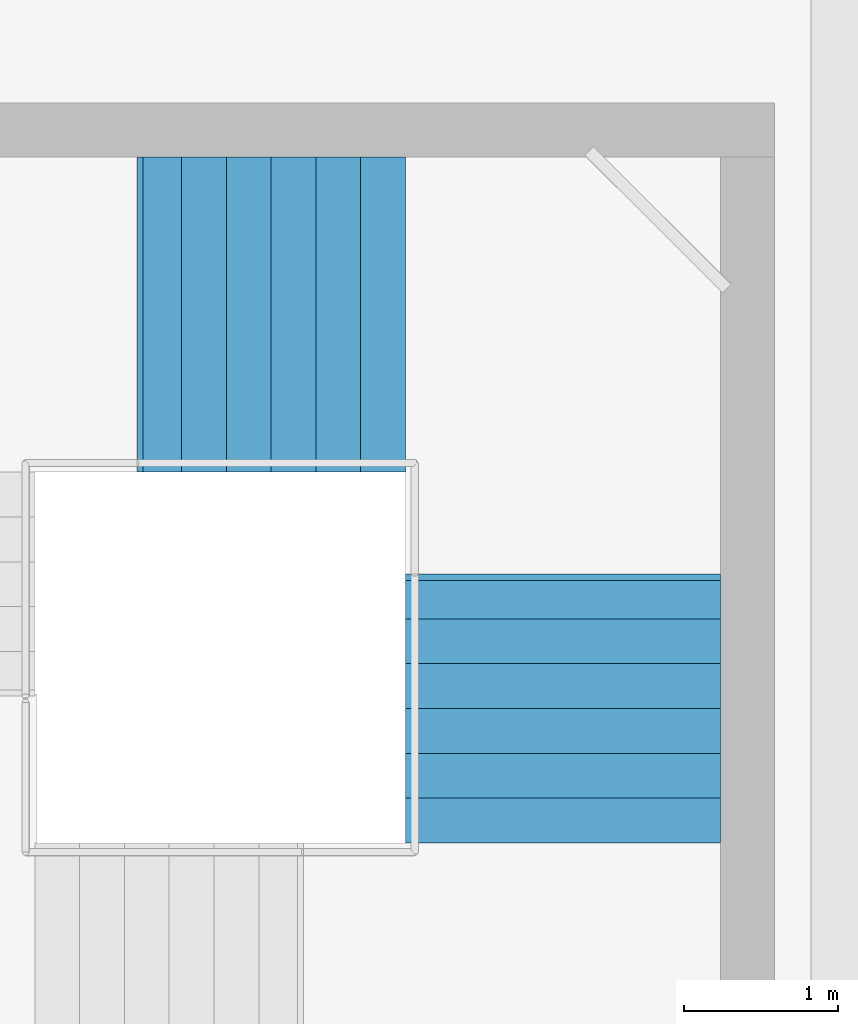
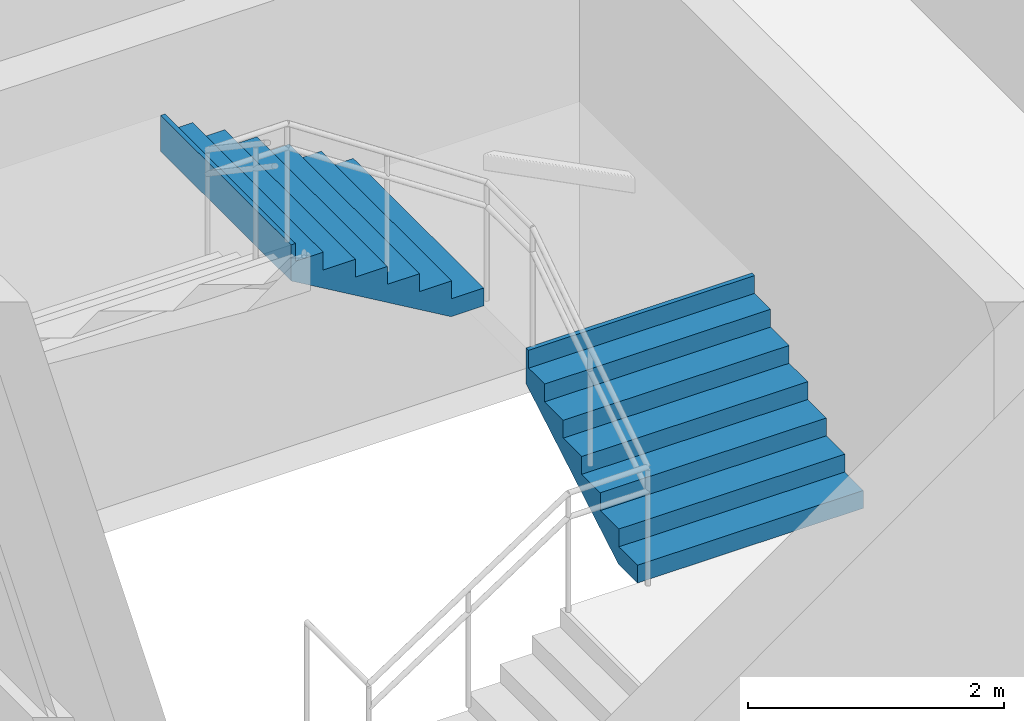
# One storey, part 46 of 55: 2 stair flights, 1 element without a shape of its own.
"""IFC4 building model written with IfcOpenShell, lengths in metres."""

from ifc_helpers import new_model, si_unit, direction, frame, origin, place, context, subcontext, project, spatial, triangles, material, type_object, element, aggregate, save


model = new_model("IFC4")

# Units and contexts
model_context = context("Model", 3, precision=1e-05, world=origin(), true_north=direction((0.0, 1.0)))
body_context = subcontext(model_context, "Body", "Model", "MODEL_VIEW")
ifc_project = project(units=[si_unit("LENGTHUNIT", "METRE"), si_unit("AREAUNIT", "SQUARE_METRE"), si_unit("VOLUMEUNIT", "CUBIC_METRE"), si_unit("PLANEANGLEUNIT", "RADIAN"), si_unit("MASSUNIT", "GRAM", prefix="KILO")], contexts=[model_context])

# Site, building, storey
site_placement = place(None, origin())
site = spatial("IfcSite", under=ifc_project, at=site_placement, CompositionType="ELEMENT")
building_placement = place(site_placement, origin())
building = spatial("IfcBuilding", under=site, at=building_placement, Name="Sillaruma Civic Art Gallery", CompositionType="ELEMENT")
storey_placement = place(building_placement, frame((0.0, 0.0, 37.739990234375)))
storey = spatial("IfcBuildingStorey", under=building, at=storey_placement, Name="L07", CompositionType="ELEMENT", Elevation=37.739990234375)

# Stair, stair flights
ifc_material = material(Name="Concrete H35 (35 MPa)", Category="concrete")
stair_type = type_object("IfcStairType", Name="STR-4F-27", PredefinedType="USERDEFINED", material=ifc_material)
stair_placement = place(storey_placement, origin())
stair = element("IfcStair", 1, at=stair_placement, inside=storey, type_object=stair_type, Name="Protected Exit Stair ST-03 (West Bar South) (L07)", ObjectType="THREE_RETURN_STAIR", PredefinedType="USERDEFINED")
stair_flight_type = type_object("IfcStairFlightType", Name="SFL-STR-7", PredefinedType="STRAIGHT", material=ifc_material)
stair_flight_1_placement = place(storey_placement, frame((68.219970703125, 33.449951171875, 1.18994140625), z_axis=(0.0, 0.0, 1.0), x_axis=(0.0, 1.0, 0.0)))
stair_flight_1 = element("IfcStairFlight", 2, at=stair_flight_1_placement, type_object=stair_flight_type, Name="ST-03 flight 2", NumberOfRisers=7, NumberOfTreads=6, PredefinedType="STRAIGHT", RiserHeight=0.17, TreadLength=0.29, context=body_context, shape_type="Tessellation", body=[
    triangles([(0.0, -1.02001953125, 0.0), (0.29, -1.02001953125, 0.0), (0.296404, -1.02001953125, 0.0), (0.58, -1.02001953125, 0.166246), (0.87, -1.02001953125, 0.336246), (1.16, -1.02001953125, 0.506246), (1.45, -1.02001953125, 0.676246), (1.69999, -1.02001953125, 0.822792), (1.73999, -1.02001953125, 0.84624), (1.73999, -1.02001953125, 1.19), (1.69999, -1.02001953125, 1.19), (1.69999, -1.02001953125, 1.02), (1.45, -1.02001953125, 1.02), (1.45, -1.02001953125, 0.85), (1.16, -1.02001953125, 0.85), (1.16, -1.02001953125, 0.68), (0.87, -1.02001953125, 0.68), (0.87, -1.02001953125, 0.51), (0.58, -1.02001953125, 0.51), (0.58, -1.02001953125, 0.34), (0.296404, -1.02001953125, 0.34), (0.29, -1.02001953125, 0.34), (0.29, -1.02001953125, 0.17), (0.0, -1.02001953125, 0.17), (0.0, -0.05, 0.0), (0.29, -0.05, 0.0), (0.296404, -0.05, 0.0), (0.58, -0.05, 0.166246), (0.87, -0.05, 0.336246), (1.16, -0.05, 0.506246), (1.45, -0.05, 0.676246), (1.69999, -0.05, 0.822792), (1.73999, -0.05, 0.84624), (1.73999, -0.05, 1.19), (1.69999, -0.05, 1.19), (1.69999, -0.05, 1.02), (1.45, -0.05, 1.02), (1.45, -0.05, 0.85), (1.16, -0.05, 0.85), (1.16, -0.05, 0.68), (0.87, -0.05, 0.68), (0.87, -0.05, 0.51), (0.58, -0.05, 0.51), (0.58, -0.05, 0.34), (0.296404, -0.05, 0.34), (0.29, -0.05, 0.34), (0.29, -0.05, 0.17), (0.0, -0.05, 0.17), (0.0, -0.0375, 0.0), (0.29, -0.0375, 0.0), (0.296404, -0.0375, 0.0), (0.58, -0.0375, 0.166246), (0.87, -0.0375, 0.336246), (1.16, -0.0375, 0.506246), (1.45, -0.0375, 0.676246), (1.69999, -0.0375, 0.822792), (1.73999, -0.0375, 0.84624), (1.73999, -0.0375, 1.19), (1.69999, -0.0375, 1.19), (1.69999, -0.0375, 1.02), (1.45, -0.0375, 1.02), (1.45, -0.0375, 0.85), (1.16, -0.0375, 0.85), (1.16, -0.0375, 0.68), (0.87, -0.0375, 0.68), (0.87, -0.0375, 0.51), (0.58, -0.0375, 0.51), (0.58, -0.0375, 0.34), (0.296404, -0.0375, 0.34), (0.29, -0.0375, 0.34), (0.29, -0.0375, 0.17), (0.0, -0.0375, 0.17), (0.0, -0.025, 0.0), (0.29, -0.025, 0.0), (0.296404, -0.025, 0.0), (0.58, -0.025, 0.166246), (0.87, -0.025, 0.336246), (1.16, -0.025, 0.506246), (1.45, -0.025, 0.676246), (1.69999, -0.025, 0.822792), (1.73999, -0.025, 0.84624), (1.73999, -0.025, 1.19), (1.69999, -0.025, 1.19), (1.69999, -0.025, 1.02), (1.45, -0.025, 1.02), (1.45, -0.025, 0.85), (1.16, -0.025, 0.85), (1.16, -0.025, 0.68), (0.87, -0.025, 0.68), (0.87, -0.025, 0.51), (0.58, -0.025, 0.51), (0.58, -0.025, 0.34), (0.296404, -0.025, 0.34), (0.29, -0.025, 0.34), (0.29, -0.025, 0.17), (0.0, -0.025, 0.17), (0.0, -0.0125, 0.0), (0.29, -0.0125, 0.0), (0.296404, -0.0125, 0.0), (0.58, -0.0125, 0.166246), (0.87, -0.0125, 0.336246), (1.16, -0.0125, 0.506246), (1.45, -0.0125, 0.676246), (1.69999, -0.0125, 0.822792), (1.73999, -0.0125, 0.84624), (1.73999, -0.0125, 1.19), (1.69999, -0.0125, 1.19), (1.69999, -0.0125, 1.02), (1.45, -0.0125, 1.02), (1.45, -0.0125, 0.85), (1.16, -0.0125, 0.85), (1.16, -0.0125, 0.68), (0.87, -0.0125, 0.68), (0.87, -0.0125, 0.51), (0.58, -0.0125, 0.51), (0.58, -0.0125, 0.34), (0.296404, -0.0125, 0.34), (0.29, -0.0125, 0.34), (0.29, -0.0125, 0.17), (0.0, -0.0125, 0.17), (0.0, 0.0, 0.0), (0.29, 0.0, 0.0), (0.296404, 0.0, 0.0), (0.58, 0.0, 0.166246), (0.87, 0.0, 0.336246), (1.16, 0.0, 0.506246), (1.45, 0.0, 0.676246), (1.69999, 0.0, 0.822792), (1.73999, 0.0, 0.84624), (1.73999, 0.0, 1.19), (1.69999, 0.0, 1.19), (1.69999, 0.0, 1.02), (1.45, 0.0, 1.02), (1.45, 0.0, 0.85), (1.16, 0.0, 0.85), (1.16, 0.0, 0.68), (0.87, 0.0, 0.68), (0.87, 0.0, 0.51), (0.58, 0.0, 0.51), (0.58, 0.0, 0.34), (0.296404, 0.0, 0.34), (0.29, 0.0, 0.34), (0.29, 0.0, 0.17), (0.0, 0.0, 0.17), (0.0, 0.0125, 0.0), (0.29, 0.0125, 0.0), (0.296404, 0.0125, 0.0), (0.58, 0.0125, 0.166246), (0.87, 0.0125, 0.336246), (1.16, 0.0125, 0.506246), (1.45, 0.0125, 0.676246), (1.69999, 0.0125, 0.822792), (1.73999, 0.0125, 0.84624), (1.73999, 0.0125, 1.19), (1.69999, 0.0125, 1.19), (1.69999, 0.0125, 1.02), (1.45, 0.0125, 1.02), (1.45, 0.0125, 0.85), (1.16, 0.0125, 0.85), (1.16, 0.0125, 0.68), (0.87, 0.0125, 0.68), (0.87, 0.0125, 0.51), (0.58, 0.0125, 0.51), (0.58, 0.0125, 0.34), (0.296404, 0.0125, 0.34), (0.29, 0.0125, 0.34), (0.29, 0.0125, 0.17), (0.0, 0.0125, 0.17), (0.0, 0.025, 0.0), (0.29, 0.025, 0.0), (0.296404, 0.025, 0.0), (0.58, 0.025, 0.166246), (0.87, 0.025, 0.336246), (1.16, 0.025, 0.506246), (1.45, 0.025, 0.676246), (1.69999, 0.025, 0.822792), (1.73999, 0.025, 0.84624), (1.73999, 0.025, 1.19), (1.69999, 0.025, 1.19), (1.69999, 0.025, 1.02), (1.45, 0.025, 1.02), (1.45, 0.025, 0.85), (1.16, 0.025, 0.85), (1.16, 0.025, 0.68), (0.87, 0.025, 0.68), (0.87, 0.025, 0.51), (0.58, 0.025, 0.51), (0.58, 0.025, 0.34), (0.296404, 0.025, 0.34), (0.29, 0.025, 0.34), (0.29, 0.025, 0.17), (0.0, 0.025, 0.17), (0.0, 0.0375, 0.0), (0.29, 0.0375, 0.0), (0.296404, 0.0375, 0.0), (0.58, 0.0375, 0.166246), (0.87, 0.0375, 0.336246), (1.16, 0.0375, 0.506246), (1.45, 0.0375, 0.676246), (1.69999, 0.0375, 0.822792), (1.73999, 0.0375, 0.84624), (1.73999, 0.0375, 1.19), (1.69999, 0.0375, 1.19), (1.69999, 0.0375, 1.02), (1.45, 0.0375, 1.02), (1.45, 0.0375, 0.85), (1.16, 0.0375, 0.85), (1.16, 0.0375, 0.68), (0.87, 0.0375, 0.68), (0.87, 0.0375, 0.51), (0.58, 0.0375, 0.51), (0.58, 0.0375, 0.34), (0.296404, 0.0375, 0.34), (0.29, 0.0375, 0.34), (0.29, 0.0375, 0.17), (0.0, 0.0375, 0.17), (0.0, 0.05, 0.0), (0.29, 0.05, 0.0), (0.296404, 0.05, 0.0), (0.58, 0.05, 0.166246), (0.87, 0.05, 0.336246), (1.16, 0.05, 0.506246), (1.45, 0.05, 0.676246), (1.69999, 0.05, 0.822792), (1.73999, 0.05, 0.84624), (1.73999, 0.05, 1.19), (1.69999, 0.05, 1.19), (1.69999, 0.05, 1.02), (1.45, 0.05, 1.02), (1.45, 0.05, 0.85), (1.16, 0.05, 0.85), (1.16, 0.05, 0.68), (0.87, 0.05, 0.68), (0.87, 0.05, 0.51), (0.58, 0.05, 0.51), (0.58, 0.05, 0.34), (0.296404, 0.05, 0.34), (0.29, 0.05, 0.34), (0.29, 0.05, 0.17), (0.0, 0.05, 0.17), (0.0, 1.02001953125, 0.0), (0.29, 1.02001953125, 0.0), (0.296404, 1.02001953125, 0.0), (0.58, 1.02001953125, 0.166246), (0.87, 1.02001953125, 0.336246), (1.16, 1.02001953125, 0.506246), (1.45, 1.02001953125, 0.676246), (1.69999, 1.02001953125, 0.822792), (1.73999, 1.02001953125, 0.84624), (1.73999, 1.02001953125, 1.19), (1.69999, 1.02001953125, 1.19), (1.69999, 1.02001953125, 1.02), (1.45, 1.02001953125, 1.02), (1.45, 1.02001953125, 0.85), (1.16, 1.02001953125, 0.85), (1.16, 1.02001953125, 0.68), (0.87, 1.02001953125, 0.68), (0.87, 1.02001953125, 0.51), (0.58, 1.02001953125, 0.51), (0.58, 1.02001953125, 0.34), (0.296404, 1.02001953125, 0.34), (0.29, 1.02001953125, 0.34), (0.29, 1.02001953125, 0.17), (0.0, 1.02001953125, 0.17)], [[1, 2, 23], [1, 23, 24], [2, 3, 21], [2, 21, 23], [23, 21, 22], [3, 4, 20], [3, 20, 21], [4, 5, 18], [4, 18, 20], [20, 18, 19], [5, 6, 16], [5, 16, 18], [18, 16, 17], [6, 7, 14], [6, 14, 16], [16, 14, 15], [7, 8, 12], [7, 12, 14], [14, 12, 13], [8, 9, 10], [8, 10, 12], [12, 10, 11], [263, 242, 241], [264, 263, 241], [261, 243, 242], [263, 261, 242], [262, 261, 263], [260, 244, 243], [261, 260, 243], [258, 245, 244], [260, 258, 244], [259, 258, 260], [256, 246, 245], [258, 256, 245], [257, 256, 258], [254, 247, 246], [256, 254, 246], [255, 254, 256], [252, 248, 247], [254, 252, 247], [253, 252, 254], [250, 249, 248], [252, 250, 248], [251, 250, 252], [2, 1, 25], [2, 25, 26], [3, 2, 26], [3, 26, 27], [4, 3, 27], [4, 27, 28], [5, 4, 28], [5, 28, 29], [6, 5, 29], [6, 29, 30], [7, 6, 30], [7, 30, 31], [8, 7, 31], [8, 31, 32], [9, 8, 32], [9, 32, 33], [10, 9, 33], [10, 33, 34], [11, 10, 34], [11, 34, 35], [12, 11, 35], [12, 35, 36], [13, 12, 36], [13, 36, 37], [14, 13, 37], [14, 37, 38], [15, 14, 38], [15, 38, 39], [16, 15, 39], [16, 39, 40], [17, 16, 40], [17, 40, 41], [18, 17, 41], [18, 41, 42], [19, 18, 42], [19, 42, 43], [20, 19, 43], [20, 43, 44], [21, 20, 44], [21, 44, 45], [22, 21, 45], [22, 45, 46], [23, 22, 46], [23, 46, 47], [24, 23, 47], [24, 47, 48], [1, 24, 48], [1, 48, 25], [26, 25, 49], [26, 49, 50], [27, 26, 50], [27, 50, 51], [28, 27, 51], [28, 51, 52], [29, 28, 52], [29, 52, 53], [30, 29, 53], [30, 53, 54], [31, 30, 54], [31, 54, 55], [32, 31, 55], [32, 55, 56], [33, 32, 56], [33, 56, 57], [34, 33, 57], [34, 57, 58], [35, 34, 58], [35, 58, 59], [36, 35, 59], [36, 59, 60], [37, 36, 60], [37, 60, 61], [38, 37, 61], [38, 61, 62], [39, 38, 62], [39, 62, 63], [40, 39, 63], [40, 63, 64], [41, 40, 64], [41, 64, 65], [42, 41, 65], [42, 65, 66], [43, 42, 66], [43, 66, 67], [44, 43, 67], [44, 67, 68], [45, 44, 68], [45, 68, 69], [46, 45, 69], [46, 69, 70], [47, 46, 70], [47, 70, 71], [48, 47, 71], [48, 71, 72], [25, 48, 72], [25, 72, 49], [50, 49, 73], [50, 73, 74], [51, 50, 74], [51, 74, 75], [52, 51, 75], [52, 75, 76], [53, 52, 76], [53, 76, 77], [54, 53, 77], [54, 77, 78], [55, 54, 78], [55, 78, 79], [56, 55, 79], [56, 79, 80], [57, 56, 80], [57, 80, 81], [58, 57, 81], [58, 81, 82], [59, 58, 82], [59, 82, 83], [60, 59, 83], [60, 83, 84], [61, 60, 84], [61, 84, 85], [62, 61, 85], [62, 85, 86], [63, 62, 86], [63, 86, 87], [64, 63, 87], [64, 87, 88], [65, 64, 88], [65, 88, 89], [66, 65, 89], [66, 89, 90], [67, 66, 90], [67, 90, 91], [68, 67, 91], [68, 91, 92], [69, 68, 92], [69, 92, 93], [70, 69, 93], [70, 93, 94], [71, 70, 94], [71, 94, 95], [72, 71, 95], [72, 95, 96], [49, 72, 96], [49, 96, 73], [74, 73, 97], [74, 97, 98], [75, 74, 98], [75, 98, 99], [76, 75, 99], [76, 99, 100], [77, 76, 100], [77, 100, 101], [78, 77, 101], [78, 101, 102], [79, 78, 102], [79, 102, 103], [80, 79, 103], [80, 103, 104], [81, 80, 104], [81, 104, 105], [82, 81, 105], [82, 105, 106], [83, 82, 106], [83, 106, 107], [84, 83, 107], [84, 107, 108], [85, 84, 108], [85, 108, 109], [86, 85, 109], [86, 109, 110], [87, 86, 110], [87, 110, 111], [88, 87, 111], [88, 111, 112], [89, 88, 112], [89, 112, 113], [90, 89, 113], [90, 113, 114], [91, 90, 114], [91, 114, 115], [92, 91, 115], [92, 115, 116], [93, 92, 116], [93, 116, 117], [94, 93, 117], [94, 117, 118], [95, 94, 118], [95, 118, 119], [96, 95, 119], [96, 119, 120], [73, 96, 120], [73, 120, 97], [98, 97, 121], [98, 121, 122], [99, 98, 122], [99, 122, 123], [100, 99, 123], [100, 123, 124], [101, 100, 124], [101, 124, 125], [102, 101, 125], [102, 125, 126], [103, 102, 126], [103, 126, 127], [104, 103, 127], [104, 127, 128], [105, 104, 128], [105, 128, 129], [106, 105, 129], [106, 129, 130], [107, 106, 130], [107, 130, 131], [108, 107, 131], [108, 131, 132], [109, 108, 132], [109, 132, 133], [110, 109, 133], [110, 133, 134], [111, 110, 134], [111, 134, 135], [112, 111, 135], [112, 135, 136], [113, 112, 136], [113, 136, 137], [114, 113, 137], [114, 137, 138], [115, 114, 138], [115, 138, 139], [116, 115, 139], [116, 139, 140], [117, 116, 140], [117, 140, 141], [118, 117, 141], [118, 141, 142], [119, 118, 142], [119, 142, 143], [120, 119, 143], [120, 143, 144], [97, 120, 144], [97, 144, 121], [122, 121, 145], [122, 145, 146], [123, 122, 146], [123, 146, 147], [124, 123, 147], [124, 147, 148], [125, 124, 148], [125, 148, 149], [126, 125, 149], [126, 149, 150], [127, 126, 150], [127, 150, 151], [128, 127, 151], [128, 151, 152], [129, 128, 152], [129, 152, 153], [130, 129, 153], [130, 153, 154], [131, 130, 154], [131, 154, 155], [132, 131, 155], [132, 155, 156], [133, 132, 156], [133, 156, 157], [134, 133, 157], [134, 157, 158], [135, 134, 158], [135, 158, 159], [136, 135, 159], [136, 159, 160], [137, 136, 160], [137, 160, 161], [138, 137, 161], [138, 161, 162], [139, 138, 162], [139, 162, 163], [140, 139, 163], [140, 163, 164], [141, 140, 164], [141, 164, 165], [142, 141, 165], [142, 165, 166], [143, 142, 166], [143, 166, 167], [144, 143, 167], [144, 167, 168], [121, 144, 168], [121, 168, 145], [146, 145, 169], [146, 169, 170], [147, 146, 170], [147, 170, 171], [148, 147, 171], [148, 171, 172], [149, 148, 172], [149, 172, 173], [150, 149, 173], [150, 173, 174], [151, 150, 174], [151, 174, 175], [152, 151, 175], [152, 175, 176], [153, 152, 176], [153, 176, 177], [154, 153, 177], [154, 177, 178], [155, 154, 178], [155, 178, 179], [156, 155, 179], [156, 179, 180], [157, 156, 180], [157, 180, 181], [158, 157, 181], [158, 181, 182], [159, 158, 182], [159, 182, 183], [160, 159, 183], [160, 183, 184], [161, 160, 184], [161, 184, 185], [162, 161, 185], [162, 185, 186], [163, 162, 186], [163, 186, 187], [164, 163, 187], [164, 187, 188], [165, 164, 188], [165, 188, 189], [166, 165, 189], [166, 189, 190], [167, 166, 190], [167, 190, 191], [168, 167, 191], [168, 191, 192], [145, 168, 192], [145, 192, 169], [170, 169, 193], [170, 193, 194], [171, 170, 194], [171, 194, 195], [172, 171, 195], [172, 195, 196], [173, 172, 196], [173, 196, 197], [174, 173, 197], [174, 197, 198], [175, 174, 198], [175, 198, 199], [176, 175, 199], [176, 199, 200], [177, 176, 200], [177, 200, 201], [178, 177, 201], [178, 201, 202], [179, 178, 202], [179, 202, 203], [180, 179, 203], [180, 203, 204], [181, 180, 204], [181, 204, 205], [182, 181, 205], [182, 205, 206], [183, 182, 206], [183, 206, 207], [184, 183, 207], [184, 207, 208], [185, 184, 208], [185, 208, 209], [186, 185, 209], [186, 209, 210], [187, 186, 210], [187, 210, 211], [188, 187, 211], [188, 211, 212], [189, 188, 212], [189, 212, 213], [190, 189, 213], [190, 213, 214], [191, 190, 214], [191, 214, 215], [192, 191, 215], [192, 215, 216], [169, 192, 216], [169, 216, 193], [194, 193, 217], [194, 217, 218], [195, 194, 218], [195, 218, 219], [196, 195, 219], [196, 219, 220], [197, 196, 220], [197, 220, 221], [198, 197, 221], [198, 221, 222], [199, 198, 222], [199, 222, 223], [200, 199, 223], [200, 223, 224], [201, 200, 224], [201, 224, 225], [202, 201, 225], [202, 225, 226], [203, 202, 226], [203, 226, 227], [204, 203, 227], [204, 227, 228], [205, 204, 228], [205, 228, 229], [206, 205, 229], [206, 229, 230], [207, 206, 230], [207, 230, 231], [208, 207, 231], [208, 231, 232], [209, 208, 232], [209, 232, 233], [210, 209, 233], [210, 233, 234], [211, 210, 234], [211, 234, 235], [212, 211, 235], [212, 235, 236], [213, 212, 236], [213, 236, 237], [214, 213, 237], [214, 237, 238], [215, 214, 238], [215, 238, 239], [216, 215, 239], [216, 239, 240], [193, 216, 240], [193, 240, 217], [218, 217, 241], [218, 241, 242], [219, 218, 242], [219, 242, 243], [220, 219, 243], [220, 243, 244], [221, 220, 244], [221, 244, 245], [222, 221, 245], [222, 245, 246], [223, 222, 246], [223, 246, 247], [224, 223, 247], [224, 247, 248], [225, 224, 248], [225, 248, 249], [226, 225, 249], [226, 249, 250], [227, 226, 250], [227, 250, 251], [228, 227, 251], [228, 251, 252], [229, 228, 252], [229, 252, 253], [230, 229, 253], [230, 253, 254], [231, 230, 254], [231, 254, 255], [232, 231, 255], [232, 255, 256], [233, 232, 256], [233, 256, 257], [234, 233, 257], [234, 257, 258], [235, 234, 258], [235, 258, 259], [236, 235, 259], [236, 259, 260], [237, 236, 260], [237, 260, 261], [238, 237, 261], [238, 261, 262], [239, 238, 262], [239, 262, 263], [240, 239, 263], [240, 263, 264], [217, 240, 264], [217, 264, 241]], closed=True),
])
stair_flight_2_placement = place(storey_placement, frame((67.199951171875, 36.8701171875, 2.380126953125), z_axis=(0.0, 0.0, 1.0), x_axis=(-1.0, 0.0, 0.0)))
stair_flight_2 = element("IfcStairFlight", 3, at=stair_flight_2_placement, type_object=stair_flight_type, Name="ST-03 flight 3", NumberOfRisers=7, NumberOfTreads=6, PredefinedType="STRAIGHT", RiserHeight=0.17, TreadLength=0.29, context=body_context, shape_type="Tessellation", body=[
    triangles([(0.0, -1.02001953125, 0.0), (0.29, -1.02001953125, 0.0), (0.296404, -1.02001953125, 0.0), (0.58, -1.02001953125, 0.166246), (0.87, -1.02001953125, 0.336246), (1.16, -1.02001953125, 0.506246), (1.45, -1.02001953125, 0.676246), (1.69999, -1.02001953125, 0.822792), (1.73999, -1.02001953125, 0.84624), (1.73999, -1.02001953125, 1.19), (1.69999, -1.02001953125, 1.19), (1.69999, -1.02001953125, 1.02), (1.45, -1.02001953125, 1.02), (1.45, -1.02001953125, 0.85), (1.16, -1.02001953125, 0.85), (1.16, -1.02001953125, 0.68), (0.87, -1.02001953125, 0.68), (0.87, -1.02001953125, 0.51), (0.58, -1.02001953125, 0.51), (0.58, -1.02001953125, 0.34), (0.296404, -1.02001953125, 0.34), (0.29, -1.02001953125, 0.34), (0.29, -1.02001953125, 0.17), (0.0, -1.02001953125, 0.17), (0.0, -0.05, 0.0), (0.29, -0.05, 0.0), (0.296404, -0.05, 0.0), (0.58, -0.05, 0.166246), (0.87, -0.05, 0.336246), (1.16, -0.05, 0.506246), (1.45, -0.05, 0.676246), (1.69999, -0.05, 0.822792), (1.73999, -0.05, 0.84624), (1.73999, -0.05, 1.19), (1.69999, -0.05, 1.19), (1.69999, -0.05, 1.02), (1.45, -0.05, 1.02), (1.45, -0.05, 0.85), (1.16, -0.05, 0.85), (1.16, -0.05, 0.68), (0.87, -0.05, 0.68), (0.87, -0.05, 0.51), (0.58, -0.05, 0.51), (0.58, -0.05, 0.34), (0.296404, -0.05, 0.34), (0.29, -0.05, 0.34), (0.29, -0.05, 0.17), (0.0, -0.05, 0.17), (0.0, -0.0375, 0.0), (0.29, -0.0375, 0.0), (0.296404, -0.0375, 0.0), (0.58, -0.0375, 0.166246), (0.87, -0.0375, 0.336246), (1.16, -0.0375, 0.506246), (1.45, -0.0375, 0.676246), (1.69999, -0.0375, 0.822792), (1.73999, -0.0375, 0.84624), (1.73999, -0.0375, 1.19), (1.69999, -0.0375, 1.19), (1.69999, -0.0375, 1.02), (1.45, -0.0375, 1.02), (1.45, -0.0375, 0.85), (1.16, -0.0375, 0.85), (1.16, -0.0375, 0.68), (0.87, -0.0375, 0.68), (0.87, -0.0375, 0.51), (0.58, -0.0375, 0.51), (0.58, -0.0375, 0.34), (0.296404, -0.0375, 0.34), (0.29, -0.0375, 0.34), (0.29, -0.0375, 0.17), (0.0, -0.0375, 0.17), (0.0, -0.025, 0.0), (0.29, -0.025, 0.0), (0.296404, -0.025, 0.0), (0.58, -0.025, 0.166246), (0.87, -0.025, 0.336246), (1.16, -0.025, 0.506246), (1.45, -0.025, 0.676246), (1.69999, -0.025, 0.822792), (1.73999, -0.025, 0.84624), (1.73999, -0.025, 1.19), (1.69999, -0.025, 1.19), (1.69999, -0.025, 1.02), (1.45, -0.025, 1.02), (1.45, -0.025, 0.85), (1.16, -0.025, 0.85), (1.16, -0.025, 0.68), (0.87, -0.025, 0.68), (0.87, -0.025, 0.51), (0.58, -0.025, 0.51), (0.58, -0.025, 0.34), (0.296404, -0.025, 0.34), (0.29, -0.025, 0.34), (0.29, -0.025, 0.17), (0.0, -0.025, 0.17), (0.0, -0.0125, 0.0), (0.29, -0.0125, 0.0), (0.296404, -0.0125, 0.0), (0.58, -0.0125, 0.166246), (0.87, -0.0125, 0.336246), (1.16, -0.0125, 0.506246), (1.45, -0.0125, 0.676246), (1.69999, -0.0125, 0.822792), (1.73999, -0.0125, 0.84624), (1.73999, -0.0125, 1.19), (1.69999, -0.0125, 1.19), (1.69999, -0.0125, 1.02), (1.45, -0.0125, 1.02), (1.45, -0.0125, 0.85), (1.16, -0.0125, 0.85), (1.16, -0.0125, 0.68), (0.87, -0.0125, 0.68), (0.87, -0.0125, 0.51), (0.58, -0.0125, 0.51), (0.58, -0.0125, 0.34), (0.296404, -0.0125, 0.34), (0.29, -0.0125, 0.34), (0.29, -0.0125, 0.17), (0.0, -0.0125, 0.17), (0.0, 0.0, 0.0), (0.29, 0.0, 0.0), (0.296404, 0.0, 0.0), (0.58, 0.0, 0.166246), (0.87, 0.0, 0.336246), (1.16, 0.0, 0.506246), (1.45, 0.0, 0.676246), (1.69999, 0.0, 0.822792), (1.73999, 0.0, 0.84624), (1.73999, 0.0, 1.19), (1.69999, 0.0, 1.19), (1.69999, 0.0, 1.02), (1.45, 0.0, 1.02), (1.45, 0.0, 0.85), (1.16, 0.0, 0.85), (1.16, 0.0, 0.68), (0.87, 0.0, 0.68), (0.87, 0.0, 0.51), (0.58, 0.0, 0.51), (0.58, 0.0, 0.34), (0.296404, 0.0, 0.34), (0.29, 0.0, 0.34), (0.29, 0.0, 0.17), (0.0, 0.0, 0.17), (0.0, 0.0125, 0.0), (0.29, 0.0125, 0.0), (0.296404, 0.0125, 0.0), (0.58, 0.0125, 0.166246), (0.87, 0.0125, 0.336246), (1.16, 0.0125, 0.506246), (1.45, 0.0125, 0.676246), (1.69999, 0.0125, 0.822792), (1.73999, 0.0125, 0.84624), (1.73999, 0.0125, 1.19), (1.69999, 0.0125, 1.19), (1.69999, 0.0125, 1.02), (1.45, 0.0125, 1.02), (1.45, 0.0125, 0.85), (1.16, 0.0125, 0.85), (1.16, 0.0125, 0.68), (0.87, 0.0125, 0.68), (0.87, 0.0125, 0.51), (0.58, 0.0125, 0.51), (0.58, 0.0125, 0.34), (0.296404, 0.0125, 0.34), (0.29, 0.0125, 0.34), (0.29, 0.0125, 0.17), (0.0, 0.0125, 0.17), (0.0, 0.025, 0.0), (0.29, 0.025, 0.0), (0.296404, 0.025, 0.0), (0.58, 0.025, 0.166246), (0.87, 0.025, 0.336246), (1.16, 0.025, 0.506246), (1.45, 0.025, 0.676246), (1.69999, 0.025, 0.822792), (1.73999, 0.025, 0.84624), (1.73999, 0.025, 1.19), (1.69999, 0.025, 1.19), (1.69999, 0.025, 1.02), (1.45, 0.025, 1.02), (1.45, 0.025, 0.85), (1.16, 0.025, 0.85), (1.16, 0.025, 0.68), (0.87, 0.025, 0.68), (0.87, 0.025, 0.51), (0.58, 0.025, 0.51), (0.58, 0.025, 0.34), (0.296404, 0.025, 0.34), (0.29, 0.025, 0.34), (0.29, 0.025, 0.17), (0.0, 0.025, 0.17), (0.0, 0.0375, 0.0), (0.29, 0.0375, 0.0), (0.296404, 0.0375, 0.0), (0.58, 0.0375, 0.166246), (0.87, 0.0375, 0.336246), (1.16, 0.0375, 0.506246), (1.45, 0.0375, 0.676246), (1.69999, 0.0375, 0.822792), (1.73999, 0.0375, 0.84624), (1.73999, 0.0375, 1.19), (1.69999, 0.0375, 1.19), (1.69999, 0.0375, 1.02), (1.45, 0.0375, 1.02), (1.45, 0.0375, 0.85), (1.16, 0.0375, 0.85), (1.16, 0.0375, 0.68), (0.87, 0.0375, 0.68), (0.87, 0.0375, 0.51), (0.58, 0.0375, 0.51), (0.58, 0.0375, 0.34), (0.296404, 0.0375, 0.34), (0.29, 0.0375, 0.34), (0.29, 0.0375, 0.17), (0.0, 0.0375, 0.17), (0.0, 0.05, 0.0), (0.29, 0.05, 0.0), (0.296404, 0.05, 0.0), (0.58, 0.05, 0.166246), (0.87, 0.05, 0.336246), (1.16, 0.05, 0.506246), (1.45, 0.05, 0.676246), (1.69999, 0.05, 0.822792), (1.73999, 0.05, 0.84624), (1.73999, 0.05, 1.19), (1.69999, 0.05, 1.19), (1.69999, 0.05, 1.02), (1.45, 0.05, 1.02), (1.45, 0.05, 0.85), (1.16, 0.05, 0.85), (1.16, 0.05, 0.68), (0.87, 0.05, 0.68), (0.87, 0.05, 0.51), (0.58, 0.05, 0.51), (0.58, 0.05, 0.34), (0.296404, 0.05, 0.34), (0.29, 0.05, 0.34), (0.29, 0.05, 0.17), (0.0, 0.05, 0.17), (0.0, 1.02001953125, 0.0), (0.29, 1.02001953125, 0.0), (0.296404, 1.02001953125, 0.0), (0.58, 1.02001953125, 0.166246), (0.87, 1.02001953125, 0.336246), (1.16, 1.02001953125, 0.506246), (1.45, 1.02001953125, 0.676246), (1.69999, 1.02001953125, 0.822792), (1.73999, 1.02001953125, 0.84624), (1.73999, 1.02001953125, 1.19), (1.69999, 1.02001953125, 1.19), (1.69999, 1.02001953125, 1.02), (1.45, 1.02001953125, 1.02), (1.45, 1.02001953125, 0.85), (1.16, 1.02001953125, 0.85), (1.16, 1.02001953125, 0.68), (0.87, 1.02001953125, 0.68), (0.87, 1.02001953125, 0.51), (0.58, 1.02001953125, 0.51), (0.58, 1.02001953125, 0.34), (0.296404, 1.02001953125, 0.34), (0.29, 1.02001953125, 0.34), (0.29, 1.02001953125, 0.17), (0.0, 1.02001953125, 0.17)], [[1, 2, 23], [1, 23, 24], [2, 3, 21], [2, 21, 23], [23, 21, 22], [3, 4, 20], [3, 20, 21], [4, 5, 18], [4, 18, 20], [20, 18, 19], [5, 6, 16], [5, 16, 18], [18, 16, 17], [6, 7, 14], [6, 14, 16], [16, 14, 15], [7, 8, 12], [7, 12, 14], [14, 12, 13], [8, 9, 10], [8, 10, 12], [12, 10, 11], [263, 242, 241], [264, 263, 241], [261, 243, 242], [263, 261, 242], [262, 261, 263], [260, 244, 243], [261, 260, 243], [258, 245, 244], [260, 258, 244], [259, 258, 260], [256, 246, 245], [258, 256, 245], [257, 256, 258], [254, 247, 246], [256, 254, 246], [255, 254, 256], [252, 248, 247], [254, 252, 247], [253, 252, 254], [250, 249, 248], [252, 250, 248], [251, 250, 252], [2, 1, 25], [2, 25, 26], [3, 2, 26], [3, 26, 27], [4, 3, 27], [4, 27, 28], [5, 4, 28], [5, 28, 29], [6, 5, 29], [6, 29, 30], [7, 6, 30], [7, 30, 31], [8, 7, 31], [8, 31, 32], [9, 8, 32], [9, 32, 33], [10, 9, 33], [10, 33, 34], [11, 10, 34], [11, 34, 35], [12, 11, 35], [12, 35, 36], [13, 12, 36], [13, 36, 37], [14, 13, 37], [14, 37, 38], [15, 14, 38], [15, 38, 39], [16, 15, 39], [16, 39, 40], [17, 16, 40], [17, 40, 41], [18, 17, 41], [18, 41, 42], [19, 18, 42], [19, 42, 43], [20, 19, 43], [20, 43, 44], [21, 20, 44], [21, 44, 45], [22, 21, 45], [22, 45, 46], [23, 22, 46], [23, 46, 47], [24, 23, 47], [24, 47, 48], [1, 24, 48], [1, 48, 25], [26, 25, 49], [26, 49, 50], [27, 26, 50], [27, 50, 51], [28, 27, 51], [28, 51, 52], [29, 28, 52], [29, 52, 53], [30, 29, 53], [30, 53, 54], [31, 30, 54], [31, 54, 55], [32, 31, 55], [32, 55, 56], [33, 32, 56], [33, 56, 57], [34, 33, 57], [34, 57, 58], [35, 34, 58], [35, 58, 59], [36, 35, 59], [36, 59, 60], [37, 36, 60], [37, 60, 61], [38, 37, 61], [38, 61, 62], [39, 38, 62], [39, 62, 63], [40, 39, 63], [40, 63, 64], [41, 40, 64], [41, 64, 65], [42, 41, 65], [42, 65, 66], [43, 42, 66], [43, 66, 67], [44, 43, 67], [44, 67, 68], [45, 44, 68], [45, 68, 69], [46, 45, 69], [46, 69, 70], [47, 46, 70], [47, 70, 71], [48, 47, 71], [48, 71, 72], [25, 48, 72], [25, 72, 49], [50, 49, 73], [50, 73, 74], [51, 50, 74], [51, 74, 75], [52, 51, 75], [52, 75, 76], [53, 52, 76], [53, 76, 77], [54, 53, 77], [54, 77, 78], [55, 54, 78], [55, 78, 79], [56, 55, 79], [56, 79, 80], [57, 56, 80], [57, 80, 81], [58, 57, 81], [58, 81, 82], [59, 58, 82], [59, 82, 83], [60, 59, 83], [60, 83, 84], [61, 60, 84], [61, 84, 85], [62, 61, 85], [62, 85, 86], [63, 62, 86], [63, 86, 87], [64, 63, 87], [64, 87, 88], [65, 64, 88], [65, 88, 89], [66, 65, 89], [66, 89, 90], [67, 66, 90], [67, 90, 91], [68, 67, 91], [68, 91, 92], [69, 68, 92], [69, 92, 93], [70, 69, 93], [70, 93, 94], [71, 70, 94], [71, 94, 95], [72, 71, 95], [72, 95, 96], [49, 72, 96], [49, 96, 73], [74, 73, 97], [74, 97, 98], [75, 74, 98], [75, 98, 99], [76, 75, 99], [76, 99, 100], [77, 76, 100], [77, 100, 101], [78, 77, 101], [78, 101, 102], [79, 78, 102], [79, 102, 103], [80, 79, 103], [80, 103, 104], [81, 80, 104], [81, 104, 105], [82, 81, 105], [82, 105, 106], [83, 82, 106], [83, 106, 107], [84, 83, 107], [84, 107, 108], [85, 84, 108], [85, 108, 109], [86, 85, 109], [86, 109, 110], [87, 86, 110], [87, 110, 111], [88, 87, 111], [88, 111, 112], [89, 88, 112], [89, 112, 113], [90, 89, 113], [90, 113, 114], [91, 90, 114], [91, 114, 115], [92, 91, 115], [92, 115, 116], [93, 92, 116], [93, 116, 117], [94, 93, 117], [94, 117, 118], [95, 94, 118], [95, 118, 119], [96, 95, 119], [96, 119, 120], [73, 96, 120], [73, 120, 97], [98, 97, 121], [98, 121, 122], [99, 98, 122], [99, 122, 123], [100, 99, 123], [100, 123, 124], [101, 100, 124], [101, 124, 125], [102, 101, 125], [102, 125, 126], [103, 102, 126], [103, 126, 127], [104, 103, 127], [104, 127, 128], [105, 104, 128], [105, 128, 129], [106, 105, 129], [106, 129, 130], [107, 106, 130], [107, 130, 131], [108, 107, 131], [108, 131, 132], [109, 108, 132], [109, 132, 133], [110, 109, 133], [110, 133, 134], [111, 110, 134], [111, 134, 135], [112, 111, 135], [112, 135, 136], [113, 112, 136], [113, 136, 137], [114, 113, 137], [114, 137, 138], [115, 114, 138], [115, 138, 139], [116, 115, 139], [116, 139, 140], [117, 116, 140], [117, 140, 141], [118, 117, 141], [118, 141, 142], [119, 118, 142], [119, 142, 143], [120, 119, 143], [120, 143, 144], [97, 120, 144], [97, 144, 121], [122, 121, 145], [122, 145, 146], [123, 122, 146], [123, 146, 147], [124, 123, 147], [124, 147, 148], [125, 124, 148], [125, 148, 149], [126, 125, 149], [126, 149, 150], [127, 126, 150], [127, 150, 151], [128, 127, 151], [128, 151, 152], [129, 128, 152], [129, 152, 153], [130, 129, 153], [130, 153, 154], [131, 130, 154], [131, 154, 155], [132, 131, 155], [132, 155, 156], [133, 132, 156], [133, 156, 157], [134, 133, 157], [134, 157, 158], [135, 134, 158], [135, 158, 159], [136, 135, 159], [136, 159, 160], [137, 136, 160], [137, 160, 161], [138, 137, 161], [138, 161, 162], [139, 138, 162], [139, 162, 163], [140, 139, 163], [140, 163, 164], [141, 140, 164], [141, 164, 165], [142, 141, 165], [142, 165, 166], [143, 142, 166], [143, 166, 167], [144, 143, 167], [144, 167, 168], [121, 144, 168], [121, 168, 145], [146, 145, 169], [146, 169, 170], [147, 146, 170], [147, 170, 171], [148, 147, 171], [148, 171, 172], [149, 148, 172], [149, 172, 173], [150, 149, 173], [150, 173, 174], [151, 150, 174], [151, 174, 175], [152, 151, 175], [152, 175, 176], [153, 152, 176], [153, 176, 177], [154, 153, 177], [154, 177, 178], [155, 154, 178], [155, 178, 179], [156, 155, 179], [156, 179, 180], [157, 156, 180], [157, 180, 181], [158, 157, 181], [158, 181, 182], [159, 158, 182], [159, 182, 183], [160, 159, 183], [160, 183, 184], [161, 160, 184], [161, 184, 185], [162, 161, 185], [162, 185, 186], [163, 162, 186], [163, 186, 187], [164, 163, 187], [164, 187, 188], [165, 164, 188], [165, 188, 189], [166, 165, 189], [166, 189, 190], [167, 166, 190], [167, 190, 191], [168, 167, 191], [168, 191, 192], [145, 168, 192], [145, 192, 169], [170, 169, 193], [170, 193, 194], [171, 170, 194], [171, 194, 195], [172, 171, 195], [172, 195, 196], [173, 172, 196], [173, 196, 197], [174, 173, 197], [174, 197, 198], [175, 174, 198], [175, 198, 199], [176, 175, 199], [176, 199, 200], [177, 176, 200], [177, 200, 201], [178, 177, 201], [178, 201, 202], [179, 178, 202], [179, 202, 203], [180, 179, 203], [180, 203, 204], [181, 180, 204], [181, 204, 205], [182, 181, 205], [182, 205, 206], [183, 182, 206], [183, 206, 207], [184, 183, 207], [184, 207, 208], [185, 184, 208], [185, 208, 209], [186, 185, 209], [186, 209, 210], [187, 186, 210], [187, 210, 211], [188, 187, 211], [188, 211, 212], [189, 188, 212], [189, 212, 213], [190, 189, 213], [190, 213, 214], [191, 190, 214], [191, 214, 215], [192, 191, 215], [192, 215, 216], [169, 192, 216], [169, 216, 193], [194, 193, 217], [194, 217, 218], [195, 194, 218], [195, 218, 219], [196, 195, 219], [196, 219, 220], [197, 196, 220], [197, 220, 221], [198, 197, 221], [198, 221, 222], [199, 198, 222], [199, 222, 223], [200, 199, 223], [200, 223, 224], [201, 200, 224], [201, 224, 225], [202, 201, 225], [202, 225, 226], [203, 202, 226], [203, 226, 227], [204, 203, 227], [204, 227, 228], [205, 204, 228], [205, 228, 229], [206, 205, 229], [206, 229, 230], [207, 206, 230], [207, 230, 231], [208, 207, 231], [208, 231, 232], [209, 208, 232], [209, 232, 233], [210, 209, 233], [210, 233, 234], [211, 210, 234], [211, 234, 235], [212, 211, 235], [212, 235, 236], [213, 212, 236], [213, 236, 237], [214, 213, 237], [214, 237, 238], [215, 214, 238], [215, 238, 239], [216, 215, 239], [216, 239, 240], [193, 216, 240], [193, 240, 217], [218, 217, 241], [218, 241, 242], [219, 218, 242], [219, 242, 243], [220, 219, 243], [220, 243, 244], [221, 220, 244], [221, 244, 245], [222, 221, 245], [222, 245, 246], [223, 222, 246], [223, 246, 247], [224, 223, 247], [224, 247, 248], [225, 224, 248], [225, 248, 249], [226, 225, 249], [226, 249, 250], [227, 226, 250], [227, 250, 251], [228, 227, 251], [228, 251, 252], [229, 228, 252], [229, 252, 253], [230, 229, 253], [230, 253, 254], [231, 230, 254], [231, 254, 255], [232, 231, 255], [232, 255, 256], [233, 232, 256], [233, 256, 257], [234, 233, 257], [234, 257, 258], [235, 234, 258], [235, 258, 259], [236, 235, 259], [236, 259, 260], [237, 236, 260], [237, 260, 261], [238, 237, 261], [238, 261, 262], [239, 238, 262], [239, 262, 263], [240, 239, 263], [240, 263, 264], [217, 240, 264], [217, 264, 241]], closed=True),
])
aggregate(stair, [stair_flight_1, stair_flight_2])

save(model, "model.ifc")
